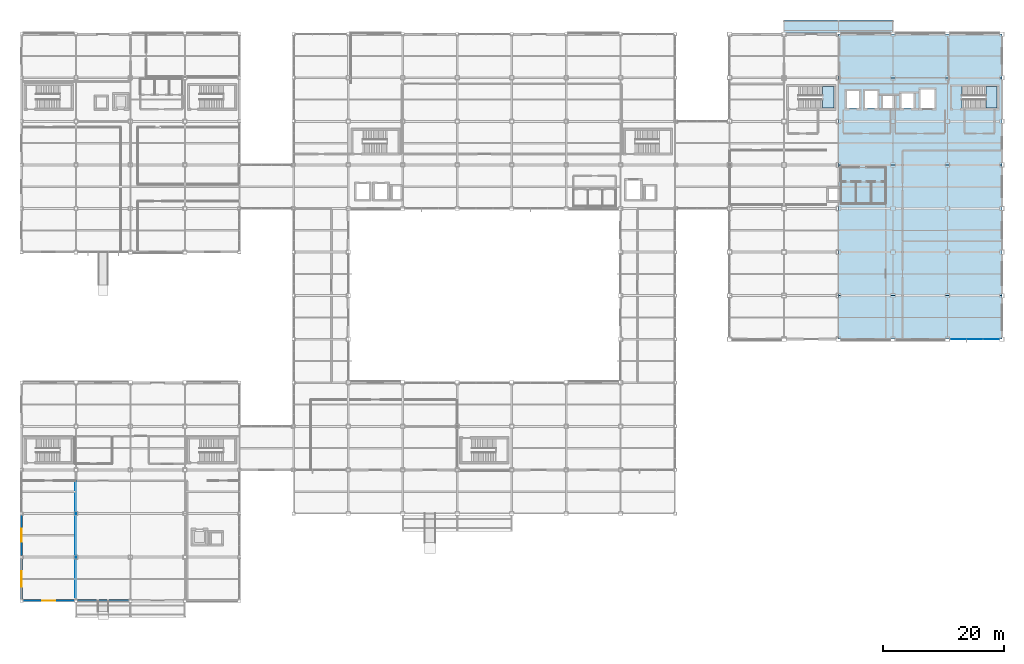
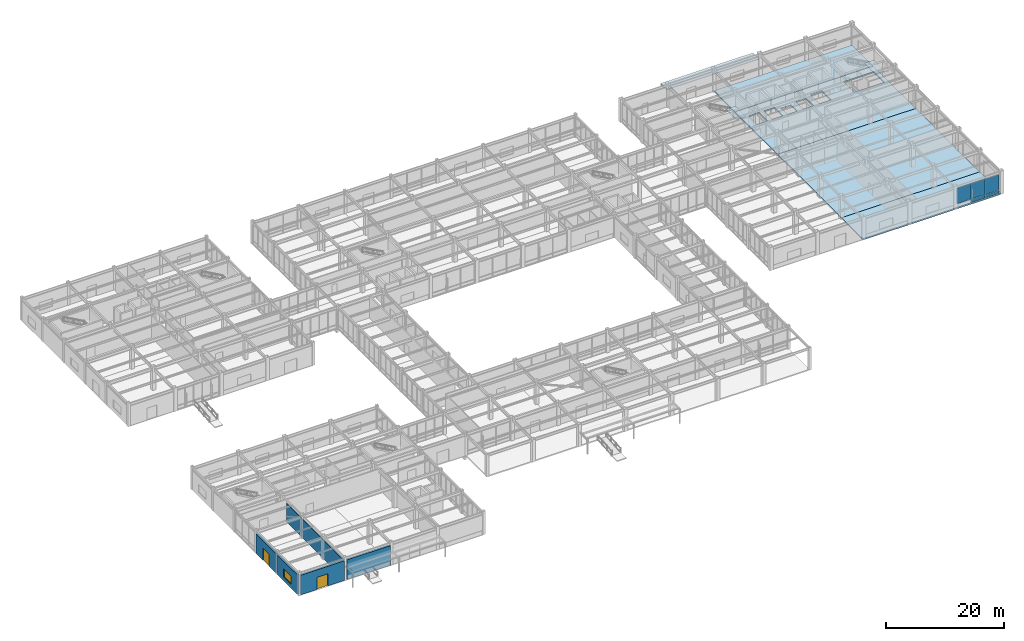
# One storey, part 86 of 112: 7 slabs, 5 plates, 5 walls, 2 doors, 1 window, 3 openings, 3 elements without a shape of their own.
"""IFC4 building model written with IfcOpenShell, lengths in metres."""

from ifc_helpers import new_model, si_unit, direction, frame, frame_2d, origin, origin_2d, place, context, subcontext, project, spatial, polyline, rectangle, outline, extrude, material, layer, layer_set, type_object, element, fill, aggregate, save


model = new_model("IFC4")

# Units and contexts
model_context = context("Model", 3, precision=1e-05, world=origin(), true_north=direction((0.0, 1.0)))
body_context = subcontext(model_context, "Body", "Model", "MODEL_VIEW")
ifc_project = project(units=[si_unit("LENGTHUNIT", "METRE"), si_unit("AREAUNIT", "SQUARE_METRE"), si_unit("VOLUMEUNIT", "CUBIC_METRE"), si_unit("PLANEANGLEUNIT", "RADIAN"), si_unit("MASSUNIT", "GRAM", prefix="KILO")], contexts=[model_context])

# Site, building, storey
site_placement = place(None, origin())
site = spatial("IfcSite", under=ifc_project, at=site_placement, CompositionType="ELEMENT")
building_placement = place(site_placement, origin())
building = spatial("IfcBuilding", under=site, at=building_placement, Name="Kazanami Central Library", CompositionType="ELEMENT")
storey_placement = place(building_placement, origin())
storey = spatial("IfcBuildingStorey", under=building, at=storey_placement, Name="L01", CompositionType="ELEMENT", Elevation=0.0)

# Curtain wall, plates
ifc_material_1 = material(Name="Acid-Etched Low-E Laminated Glass", Category="glass")
curtain_wall_type = type_object("IfcCurtainWallType", Name="CW-8275x4055-M275", PredefinedType="USERDEFINED", material=ifc_material_1)
curtain_wall_placement = place(storey_placement, origin())
curtain_wall = element("IfcCurtainWall", 1, at=curtain_wall_placement, inside=storey, type_object=curtain_wall_type, Name="Unitised Curtain Wall CW-04 L01 S-G-17", ObjectType="UNITISED CURTAIN WALL", PredefinedType="USERDEFINED")
ifc_layer_1 = layer(ifc_material_1, 0.0439453125, Name="Acid-Etched Low-E Laminated Glass")
ifc_layer_set_1 = layer_set([ifc_layer_1], Name="Acid-Etched Low-E Laminated Glass")
plate_type_1 = type_object("IfcPlateType", Name="PLT-CW-P2", PredefinedType="CURTAIN_PANEL", material=ifc_layer_set_1)
plate_1_placement = place(storey_placement, frame((154.7705078125, 43.199951171875, 0.8125), z_axis=(0.0, 0.0, 1.0), x_axis=(1.0, 0.0, 0.0)))
plate_1 = element("IfcPlate", 2, at=plate_1_placement, type_object=plate_type_1, Name="CW-04 panel 1.2", PredefinedType="CURTAIN_PANEL", context=body_context, shape_type="SweptSolid", body=[
    extrude(rectangle(XDim=2.660888671875, YDim=0.0439453125, at=origin_2d()), origin(), (0.0, 0.0, 1.0), 3.177490234375),
])
plate_2_placement = place(storey_placement, frame((157.512451171875, 43.199951171875, 0.8125), z_axis=(0.0, 0.0, 1.0), x_axis=(1.0, 0.0, 0.0)))
plate_2 = element("IfcPlate", 3, at=plate_2_placement, type_object=plate_type_1, Name="CW-04 panel 2.2", PredefinedType="CURTAIN_PANEL", context=body_context, shape_type="SweptSolid", body=[
    extrude(rectangle(XDim=2.693359375, YDim=0.0439453125, at=origin_2d()), origin(), (0.0, 0.0, 1.0), 3.177490234375),
])
plate_3_placement = place(storey_placement, frame((160.254638671875, 43.199951171875, 0.8125), z_axis=(0.0, 0.0, 1.0), x_axis=(1.0, 0.0, 0.0)))
plate_3 = element("IfcPlate", 4, at=plate_3_placement, type_object=plate_type_1, Name="CW-04 panel 3.2", PredefinedType="CURTAIN_PANEL", context=body_context, shape_type="SweptSolid", body=[
    extrude(rectangle(XDim=2.660888671875, YDim=0.0439453125, at=origin_2d()), origin(), (0.0, 0.0, 1.0), 3.177490234375),
])
ifc_material_2 = material(Name="Anodised Aluminium A5052-H32", Category="aluminium")
ifc_layer_2 = layer(ifc_material_2, 0.052001953125, Name="Anodised Aluminium A5052-H32")
ifc_layer_set_2 = layer_set([ifc_layer_2], Name="Anodised Aluminium A5052-H32")
plate_type_2 = type_object("IfcPlateType", Name="PLT-CW-SP2", PredefinedType="CURTAIN_PANEL", material=ifc_layer_set_2)
plate_4_placement = place(storey_placement, frame((157.512451171875, 43.199951171875, 0.06494140625), z_axis=(0.0, 0.0, 1.0), x_axis=(1.0, 0.0, 0.0)))
plate_4 = element("IfcPlate", 5, at=plate_4_placement, type_object=plate_type_2, Name="CW-04 panel 2.1", PredefinedType="CURTAIN_PANEL", context=body_context, shape_type="SweptSolid", body=[
    extrude(rectangle(XDim=2.693359375, YDim=0.052001953125, at=origin_2d()), origin(), (0.0, 0.0, 1.0), 0.6826171875),
])
plate_5_placement = place(storey_placement, frame((160.254638671875, 43.199951171875, 0.06494140625), z_axis=(0.0, 0.0, 1.0), x_axis=(1.0, 0.0, 0.0)))
plate_5 = element("IfcPlate", 6, at=plate_5_placement, type_object=plate_type_2, Name="CW-04 panel 3.1", PredefinedType="CURTAIN_PANEL", context=body_context, shape_type="SweptSolid", body=[
    extrude(rectangle(XDim=2.660888671875, YDim=0.052001953125, at=origin_2d()), origin(), (0.0, 0.0, 1.0), 0.6826171875),
])
aggregate(curtain_wall, [plate_1, plate_4, plate_2, plate_5, plate_3])

# Slabs
ifc_material_3 = material(Name="Concrete Fc36 (36 MPa)", Category="concrete")
ifc_layer_3 = layer(ifc_material_3, 0.27490234375, Name="Concrete Fc36 (36 MPa)")
ifc_layer_set_3 = layer_set([ifc_layer_3], Name="Concrete Fc36 (36 MPa)")
slab_type_1 = type_object("IfcSlabType", Name="SLB-FLR-275", PredefinedType="FLOOR", material=ifc_layer_set_3)
slab_1_placement = place(storey_placement, frame((0.0, 0.0, -0.27490234375)))
element("IfcSlab", 7, at=slab_1_placement, inside=storey, type_object=slab_type_1, Name="Composite Floor Slab L01 V2-MAIN Zone 35", PredefinedType="FLOOR", context=body_context, shape_type="SweptSolid", body=[
    extrude(outline(polyline([(135.0, 43.199951171875), (162.0, 43.199951171875), (162.0, 50.39990234375), (135.0, 50.39990234375), (135.0, 43.199951171875)])), origin(), (0.0, 0.0, 1.0), 0.27490234375),
])
slab_2_placement = place(storey_placement, frame((0.0, 0.0, -0.27490234375)))
element("IfcSlab", 8, at=slab_2_placement, inside=storey, type_object=slab_type_1, Name="Composite Floor Slab L01 V2-MAIN Zone 36", PredefinedType="FLOOR", context=body_context, shape_type="SweptSolid", body=[
    extrude(outline(polyline([(135.0, 50.39990234375), (162.0, 50.39990234375), (162.0, 72.0), (135.0, 72.0), (135.0, 50.39990234375)])), origin(), (0.0, 0.0, 1.0), 0.27490234375),
])
slab_3_placement = place(storey_placement, frame((0.0, 0.0, -0.27490234375)))
element("IfcSlab", 9, at=slab_3_placement, inside=storey, type_object=slab_type_1, Name="Composite Floor Slab L01 V2-MAIN Zone 37", PredefinedType="FLOOR", context=body_context, shape_type="SweptSolid", body=[
    extrude(outline(polyline([(135.0, 72.0), (162.0, 72.0), (162.0, 86.39990234375), (135.0, 86.39990234375), (135.0, 72.0)]), holes=[polyline([(155.39990234375, 81.375), (161.22509765625, 81.375), (161.22509765625, 84.925048828125), (155.39990234375, 84.925048828125), (155.39990234375, 81.375)]), polyline([(136.375, 81.375), (138.425048828125, 81.375), (138.425048828125, 84.22509765625), (136.375, 84.22509765625), (136.375, 81.375)]), polyline([(139.375, 81.375), (141.425048828125, 81.375), (141.425048828125, 84.22509765625), (139.375, 84.22509765625), (139.375, 81.375)]), polyline([(145.375, 81.375), (147.425048828125, 81.375), (147.425048828125, 83.824951171875), (145.375, 83.824951171875), (145.375, 81.375)]), polyline([(148.574951171875, 81.375), (150.824951171875, 81.375), (150.824951171875, 84.425048828125), (148.574951171875, 84.425048828125), (148.574951171875, 81.375)]), polyline([(142.35009765625, 81.35009765625), (144.25, 81.35009765625), (144.25, 83.449951171875), (142.35009765625, 83.449951171875), (142.35009765625, 81.35009765625)])]), origin(), (0.0, 0.0, 1.0), 0.27490234375),
])
slab_4_placement = place(storey_placement, frame((0.0, 0.0, -0.27490234375)))
element("IfcSlab", 10, at=slab_4_placement, inside=storey, type_object=slab_type_1, Name="Composite Floor Slab L01 V2-MAIN Zone 38", PredefinedType="FLOOR", context=body_context, shape_type="SweptSolid", body=[
    extrude(outline(polyline([(135.0, 86.39990234375), (162.0, 86.39990234375), (162.0, 93.60009765625), (135.0, 93.60009765625), (135.0, 86.39990234375)])), origin(), (0.0, 0.0, 1.0), 0.27490234375),
])

# Stair, slab
stair_type = type_object("IfcStairType", Name="STR-T48", PredefinedType="HALF_TURN_STAIR", material=ifc_material_3)
stair_1_placement = place(storey_placement, origin())
stair_1 = element("IfcStair", 11, at=stair_1_placement, inside=storey, type_object=stair_type, Name="Enclosed Escape Stair ST-01 (L01)", PredefinedType="HALF_TURN_STAIR")
ifc_layer_4 = layer(ifc_material_3, 0.179931640625, Name="Concrete Fc36 (36 MPa)")
ifc_layer_set_4 = layer_set([ifc_layer_4], Name="Concrete Fc36 (36 MPa)")
slab_type_2 = type_object("IfcSlabType", Name="SLB-LND-180", PredefinedType="LANDING", material=ifc_layer_set_4)
slab_5_placement = place(storey_placement, frame((0.0, 0.0, 2.219970703125)))
slab_5 = element("IfcSlab", 12, at=slab_5_placement, type_object=slab_type_2, Name="ST-01 landing 1", PredefinedType="LANDING", context=body_context, shape_type="SweptSolid", body=[
    extrude(outline(polyline([(132.387939453125, 81.375), (134.22509765625, 81.375), (134.22509765625, 84.925048828125), (132.387939453125, 84.925048828125), (132.387939453125, 81.375)])), origin(), (0.0, 0.0, 1.0), 0.179931640625),
])
aggregate(stair_1, [slab_5])

stair_2_placement = place(storey_placement, origin())
stair_2 = element("IfcStair", 13, at=stair_2_placement, inside=storey, type_object=stair_type, Name="Enclosed Escape Stair ST-02 (L01)", PredefinedType="HALF_TURN_STAIR")
slab_6_placement = place(storey_placement, frame((0.0, 0.0, 2.219970703125)))
slab_6 = element("IfcSlab", 14, at=slab_6_placement, type_object=slab_type_2, Name="ST-02 landing 1", PredefinedType="LANDING", context=body_context, shape_type="SweptSolid", body=[
    extrude(outline(polyline([(159.387939453125, 81.375), (161.22509765625, 81.375), (161.22509765625, 84.925048828125), (159.387939453125, 84.925048828125), (159.387939453125, 81.375)])), origin(), (0.0, 0.0, 1.0), 0.179931640625),
])
aggregate(stair_2, [slab_6])

# Slab
ifc_layer_5 = layer(ifc_material_3, 0.175048828125, Name="Concrete Fc36 (36 MPa)")
ifc_layer_set_5 = layer_set([ifc_layer_5], Name="Concrete Fc36 (36 MPa)")
slab_type_3 = type_object("IfcSlabType", Name="SLB-ROOF-175", PredefinedType="ROOF", material=ifc_layer_set_5)
slab_7_placement = place(storey_placement, frame((0.0, 0.0, 3.050048828125)))
element("IfcSlab", 15, at=slab_7_placement, inside=storey, type_object=slab_type_3, Name="Entrance Canopy Structural Deck CAN-V2-NORTH", PredefinedType="ROOF", context=body_context, shape_type="SweptSolid", body=[
    extrude(outline(polyline([(126.0, 93.919921875), (144.0, 93.919921875), (144.0, 95.949951171875), (126.0, 95.949951171875), (126.0, 93.919921875)])), origin(), (0.0, 0.0, 1.0), 0.175048828125),
])

# Wall, opening, door
ifc_layer_6 = layer(ifc_material_3, 0.27001953125, Name="Concrete Fc36 (36 MPa)")
ifc_material_4 = material(Name="Extruded Polystyrene XPS", Category="earth")
ifc_layer_7 = layer(ifc_material_4, 0.050048828125, Name="Extruded Polystyrene XPS")
ifc_material_5 = material(Name="Honed Inada Granite", Category="masonry")
ifc_layer_8 = layer(ifc_material_5, 0.030029296875, Name="Honed Inada Granite")
ifc_layer_set_6 = layer_set([ifc_layer_6, ifc_layer_7, ifc_layer_8], Name="Concrete Fc36 (36 MPa)")
wall_type_1 = type_object("IfcWallType", Name="WAL-EW-350", PredefinedType="STANDARD", material=ifc_layer_set_6)
wall_1_placement = place(storey_placement, frame((0.25, 0.0, 0.0), z_axis=(0.0, 0.0, 1.0), x_axis=(1.0, 0.0, 0.0)))
wall_1 = element("IfcWall", 16, at=wall_1_placement, inside=storey, type_object=wall_type_1, Name="Exterior Facade Wall EW-350 L01 S-A-00", PredefinedType="STANDARD", context=body_context, shape_type="SweptSolid", body=[
    extrude(rectangle(XDim=8.5, YDim=0.35009765625, at=frame_2d((4.25, 0.0))), origin(), (0.0, 0.0, 1.0), 4.054931640625),
])
opening_1_placement = place(wall_1_placement, frame((3.14990234375, 0.0, 0.0)))
opening_1 = element("IfcOpeningElement", 17, at=opening_1_placement, cuts=wall_1, Name="Opening ED-01", PredefinedType="OPENING", context=body_context, shape_type="SweptSolid", body=[
    extrude(rectangle(XDim=2.199951171875, YDim=2.5, at=frame_2d((1.10009765625, 1.25))), frame((0.0, 0.18701171875, 0.0), z_axis=(0.0, -1.0, 0.0), x_axis=(1.0, 0.0, 0.0)), (0.0, 0.0, 1.0), 0.3740234375),
])
ifc_material_6 = material(Name="Anodised Aluminium A6063-T5", Category="aluminium")
door_type_1 = type_object("IfcDoorType", Name="DOR-ED-01", OperationType="DOUBLE_DOOR_SINGLE_SWING", PredefinedType="DOOR", material=ifc_material_6)
door_1_placement = place(opening_1_placement, frame((2.199951171875, 0.0, 0.0), z_axis=(0.0, 0.0, 1.0), x_axis=(-1.0, 0.0, 0.0)))
door_1 = element("IfcDoor", 18, at=door_1_placement, inside=storey, type_object=door_type_1, Name="Main Pedestrian Exit Door 01", OperationType="DOUBLE_DOOR_SINGLE_SWING", OverallHeight=2.5, OverallWidth=2.199951171875, PredefinedType="DOOR", context=body_context, shape_type="SweptSolid", body=[
    extrude(rectangle(XDim=2.199951171875, YDim=2.5, at=frame_2d((1.10009765625, 1.25))), frame((0.0, 0.02490234375, 0.0), z_axis=(0.0, -1.0, 0.0), x_axis=(1.0, 0.0, 0.0)), (0.0, 0.0, 1.0), 0.050048828125),
])
fill(opening_1, door_1)

# Wall
wall_2_placement = place(storey_placement, frame((9.25, 0.0, 0.0), z_axis=(0.0, 0.0, 1.0), x_axis=(1.0, 0.0, 0.0)))
element("IfcWall", 19, at=wall_2_placement, inside=storey, type_object=wall_type_1, Name="Exterior Facade Wall EW-350 L01 S-A-01", PredefinedType="STANDARD", context=body_context, shape_type="SweptSolid", body=[
    extrude(rectangle(XDim=8.5, YDim=0.35009765625, at=frame_2d((4.25, 0.0))), origin(), (0.0, 0.0, 1.0), 4.054931640625),
])

# Wall, opening, window
wall_3_placement = place(storey_placement, frame((0.0, 0.25, 0.0), z_axis=(0.0, 0.0, 1.0), x_axis=(0.0, 1.0, 0.0)))
wall_3 = element("IfcWall", 20, at=wall_3_placement, inside=storey, type_object=wall_type_1, Name="Exterior Facade Wall EW-350 L01 W-1-00", PredefinedType="STANDARD", context=body_context, shape_type="SweptSolid", body=[
    extrude(rectangle(XDim=6.699951171875, YDim=0.35009765625, at=frame_2d((3.35009765625, 0.0))), origin(), (0.0, 0.0, 1.0), 4.054931640625),
])
opening_2_placement = place(wall_3_placement, frame((2.050048828125, 0.0, 0.85009765625)))
opening_2 = element("IfcOpeningElement", 21, at=opening_2_placement, cuts=wall_3, Name="Opening WN-13", PredefinedType="OPENING", context=body_context, shape_type="SweptSolid", body=[
    extrude(rectangle(XDim=2.60009765625, YDim=1.60009765625, at=frame_2d((1.300048828125, 0.800048828125))), frame((0.0, 0.18701171875, 0.0), z_axis=(0.0, -1.0, 0.0), x_axis=(1.0, 0.0, 0.0)), (0.0, 0.0, 1.0), 0.3740234375),
])
ifc_material_7 = material(Name="Low-E Insulated Triple Glass", Category="glass")
window_type = type_object("IfcWindowType", Name="WIN-WN-13", PartitioningType="DOUBLE_PANEL_VERTICAL", PredefinedType="WINDOW", material=ifc_material_7)
window_placement = place(opening_2_placement, origin())
window = element("IfcWindow", 22, at=window_placement, inside=storey, type_object=window_type, Name="Facade Window WN-13 L01 W-1-00", OverallHeight=1.60009765625, OverallWidth=2.60009765625, PartitioningType="DOUBLE_PANEL_VERTICAL", PredefinedType="WINDOW", context=body_context, shape_type="SweptSolid", body=[
    extrude(rectangle(XDim=2.60009765625, YDim=1.60009765625, at=frame_2d((1.300048828125, 0.800048828125))), frame((0.0, 0.030029296875, 0.0), z_axis=(0.0, -1.0, 0.0), x_axis=(1.0, 0.0, 0.0)), (0.0, 0.0, 1.0), 0.06005859375),
])
fill(opening_2, window)

# Wall, opening, door
wall_4_placement = place(storey_placement, frame((0.0, 7.449951171875, 0.0), z_axis=(0.0, 0.0, 1.0), x_axis=(0.0, 1.0, 0.0)))
wall_4 = element("IfcWall", 23, at=wall_4_placement, inside=storey, type_object=wall_type_1, Name="Exterior Facade Wall EW-350 L01 W-1-01", PredefinedType="STANDARD", context=body_context, shape_type="SweptSolid", body=[
    extrude(rectangle(XDim=6.699951171875, YDim=0.35009765625, at=frame_2d((3.35009765625, 0.0))), origin(), (0.0, 0.0, 1.0), 4.054931640625),
])
opening_3_placement = place(wall_4_placement, frame((2.27490234375, 0.0, 0.0)))
opening_3 = element("IfcOpeningElement", 24, at=opening_3_placement, cuts=wall_4, Name="Opening ED-08", PredefinedType="OPENING", context=body_context, shape_type="SweptSolid", body=[
    extrude(rectangle(XDim=2.14990234375, YDim=2.47998046875, at=frame_2d((1.074951171875, 1.239990234375))), frame((0.0, 0.18701171875, 0.0), z_axis=(0.0, -1.0, 0.0), x_axis=(1.0, 0.0, 0.0)), (0.0, 0.0, 1.0), 0.3740234375),
])
door_type_2 = type_object("IfcDoorType", Name="DOR-ED-08", OperationType="DOUBLE_DOOR_SINGLE_SWING", PredefinedType="DOOR", material=ifc_material_6)
door_2_placement = place(opening_3_placement, origin())
door_2 = element("IfcDoor", 25, at=door_2_placement, inside=storey, type_object=door_type_2, Name="Main Pedestrian Exit Door 16", OperationType="DOUBLE_DOOR_SINGLE_SWING", OverallHeight=2.47998046875, OverallWidth=2.14990234375, PredefinedType="DOOR", context=body_context, shape_type="SweptSolid", body=[
    extrude(rectangle(XDim=2.14990234375, YDim=2.47998046875, at=frame_2d((1.074951171875, 1.239990234375))), frame((0.0, 0.02490234375, 0.0), z_axis=(0.0, -1.0, 0.0), x_axis=(1.0, 0.0, 0.0)), (0.0, 0.0, 1.0), 0.050048828125),
])
fill(opening_3, door_2)

# Wall
ifc_material_8 = material(Name="Fire-Resistant Gypsum Board GB-F", Category="gypsum")
ifc_layer_9 = layer(ifc_material_8, 0.1650390625, Name="Fire-Resistant Gypsum Board GB-F")
ifc_layer_set_7 = layer_set([ifc_layer_9], Name="Fire-Resistant Gypsum Board GB-F")
wall_type_2 = type_object("IfcWallType", Name="WAL-FW-165", PredefinedType="PARTITIONING", material=ifc_layer_set_7)
wall_5_placement = place(storey_placement, frame((9.0, 0.60009765625, 0.0), z_axis=(0.0, 0.0, 1.0), x_axis=(0.0, 1.0, 0.0)))
element("IfcWall", 26, at=wall_5_placement, inside=storey, type_object=wall_type_2, Name="Interior Partition FW-165 L01 RM-06 (East)", PredefinedType="PARTITIONING", context=body_context, shape_type="SweptSolid", body=[
    extrude(rectangle(XDim=19.10986328125, YDim=0.1650390625, at=frame_2d((9.554931640625, 0.0))), origin(), (0.0, 0.0, 1.0), 3.8349609375),
])

save(model, "model.ifc")
